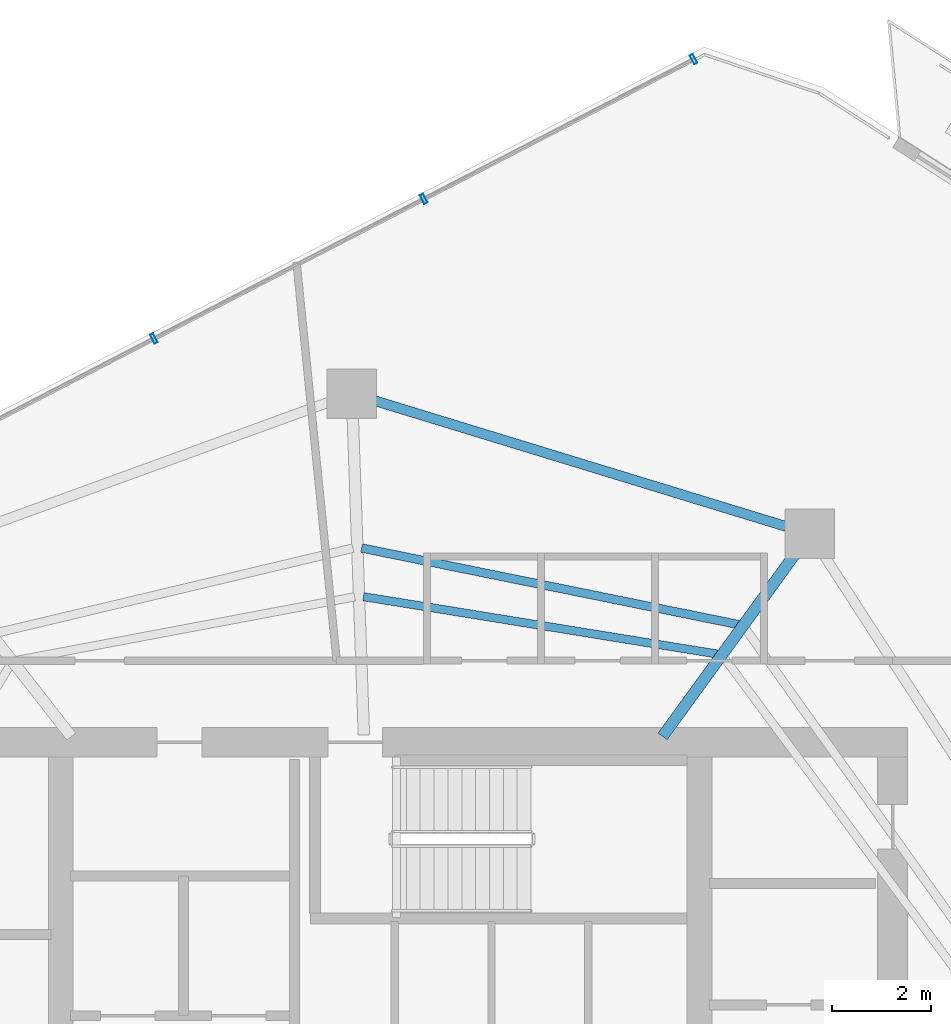
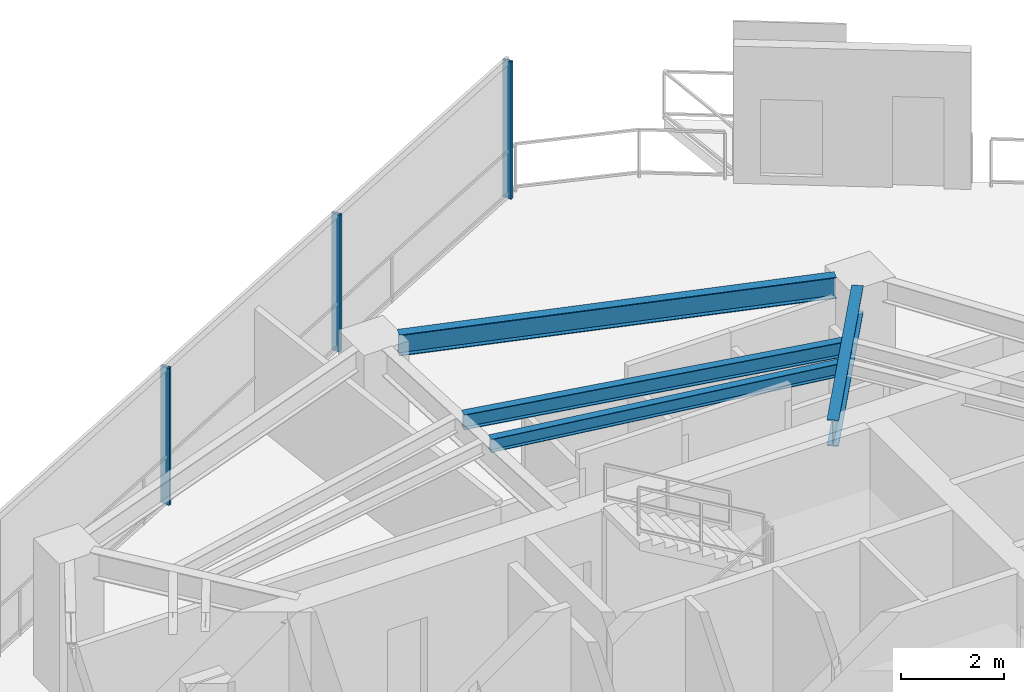
# One storey, part 13 of 20: 4 beams, 3 members, 1 element without a shape of its own.
"""IFC4 building model written with IfcOpenShell, lengths in metres."""

import ifcopenshell
import ifcopenshell.guid

model = None  # the IFC model being written
_history = None  # IfcOwnerHistory: only IFC2X3 demands one
_inside = {}  # id of a spatial element -> (the spatial element, [elements in it])
_under = {}  # id of a project, library or spatial element -> (it, [spatial elements below it])
_declared = {}  # id of a project -> (the project, [libraries it declares])
_typed = {}  # id of a type object -> (the type object, [elements of that type])
_made_of = {}  # id of a material, layer set ... -> (it, [elements and type objects made of it])


def new_model(schema):
    """Start an empty IFC model of exactly this schema.

    Asked for "IFC4X3", IfcOpenShell would pick the latest addendum, in which some entities
    have other attributes; the version numbers below select the first issue.
    IFC2X3 requires an IfcOwnerHistory on every rooted entity: one is made here for all.
    """
    global model, _history
    if schema == "IFC4X3":
        model = ifcopenshell.file(schema_version=(4, 3, 0, 0))
    else:
        model = ifcopenshell.file(schema=schema)
    _inside.clear()
    _under.clear()
    _declared.clear()
    _typed.clear()
    _made_of.clear()
    _history = None
    if model.schema == "IFC2X3":
        org = make("IfcOrganization", Name="unknown")
        user = make(
            "IfcPersonAndOrganization",
            ThePerson=make("IfcPerson", FamilyName="unknown"),
            TheOrganization=org,
        )
        app = make(
            "IfcApplication",
            ApplicationDeveloper=org,
            Version="unknown",
            ApplicationFullName="unknown",
            ApplicationIdentifier="unknown",
        )
        _history = make(
            "IfcOwnerHistory",
            OwningUser=user,
            OwningApplication=app,
            ChangeAction="ADDED",
            CreationDate=0,
        )
    return model


def make(cls, **values):
    """One entity of the class cls with the attributes given. An attribute that is None is left unset."""
    return model.create_entity(
        cls, **{name: value for name, value in values.items() if value is not None}
    )


def rooted(cls, **values):
    """An entity with a GlobalId (a new one), such as an element, a storey or a relation."""
    return make(cls, GlobalId=ifcopenshell.guid.new(), OwnerHistory=_history, **values)


def si_unit(unit_type, name, prefix=None):
    """IfcSIUnit, for example si_unit("LENGTHUNIT", "METRE", prefix="MILLI")."""
    return make("IfcSIUnit", UnitType=unit_type, Prefix=prefix, Name=name)


def assignment(units):
    """IfcUnitAssignment: the units of a project."""
    return None if units is None else make("IfcUnitAssignment", Units=units)


def point(xyz):
    """IfcCartesianPoint."""
    return None if xyz is None else make("IfcCartesianPoint", Coordinates=xyz)


def direction(xyz):
    """IfcDirection."""
    return None if xyz is None else make("IfcDirection", DirectionRatios=xyz)


def frame(location, z_axis=None, x_axis=None):
    """IfcAxis2Placement3D, a coordinate frame: its origin and axes. An axis left out is left unset."""
    return make(
        "IfcAxis2Placement3D",
        Location=point(location),
        Axis=direction(z_axis),
        RefDirection=direction(x_axis),
    )


def frame_2d(location, x_axis=None):
    """IfcAxis2Placement2D, a coordinate frame in the plane: its origin and x axis."""
    return make(
        "IfcAxis2Placement2D", Location=point(location), RefDirection=direction(x_axis)
    )


def origin():
    """The frame at (0, 0, 0) with its axes left unset."""
    return frame((0.0, 0.0, 0.0))


def origin_2d():
    """The frame at (0, 0) in the plane with its x axis left unset."""
    return frame_2d((0.0, 0.0))


def place(relative_to, where):
    """IfcLocalPlacement: puts the frame where relative to a parent placement (None: the world)."""
    return make(
        "IfcLocalPlacement", PlacementRelTo=relative_to, RelativePlacement=where
    )


def context(
    kind, dimensions, precision=None, world=None, true_north=None, identifier=None
):
    """IfcGeometricRepresentationContext, for example the 3D "Model" context."""
    return make(
        "IfcGeometricRepresentationContext",
        ContextIdentifier=identifier,
        ContextType=kind,
        CoordinateSpaceDimension=dimensions,
        Precision=precision,
        WorldCoordinateSystem=world,
        TrueNorth=true_north,
    )


def subcontext(parent, identifier, kind, view, scale=None):
    """IfcGeometricRepresentationSubContext, for example "Body" below "Model"."""
    return make(
        "IfcGeometricRepresentationSubContext",
        ContextIdentifier=identifier,
        ContextType=kind,
        ParentContext=parent,
        TargetScale=scale,
        TargetView=view,
    )


def project(units=None, contexts=None):
    """IfcProject with its units and contexts."""
    return rooted(
        "IfcProject",
        Name="project",
        RepresentationContexts=contexts,
        UnitsInContext=assignment(units),
    )


def spatial(cls, under=None, at=None, **own):
    """A site, building, storey or space (cls), placed at a placement, below another one or the project."""
    s = rooted(cls, ObjectPlacement=at, **own)
    if under is not None:
        _under.setdefault(under.id(), (under, []))[1].append(s)
    return s


def profile(cls, at=None, kind="AREA", **sizes):
    """A parametric profile (cls). Its sizes go by their IFC names, for example OverallWidth=200.0."""
    return make(cls, ProfileType=kind, Position=at, **sizes)


def hollow_rectangle(**sizes):
    """IfcRectangleHollowProfileDef."""
    return profile("IfcRectangleHollowProfileDef", **sizes)


def i_section(**sizes):
    """IfcIShapeProfileDef."""
    return profile("IfcIShapeProfileDef", **sizes)


def extrude(swept, where, along, depth):
    """IfcExtrudedAreaSolid: the profile swept, set in the frame where, extruded along a direction by depth."""
    return make(
        "IfcExtrudedAreaSolid",
        SweptArea=swept,
        Position=where,
        ExtrudedDirection=direction(along),
        Depth=depth,
    )


def shape(context_of_items, identifier, shape_type, items):
    """IfcShapeRepresentation: the items that make up one representation, for example the "Body"."""
    return make(
        "IfcShapeRepresentation",
        ContextOfItems=context_of_items,
        RepresentationIdentifier=identifier,
        RepresentationType=shape_type,
        Items=items,
    )


def material(Name=None, Category=None):
    """IfcMaterial."""
    return make("IfcMaterial", Name=Name, Category=Category)


def layer(
    of_material, thickness, ventilated=None, Name=None, Category=None, Priority=None
):
    """IfcMaterialLayer: one layer of a wall or slab, of a material (None: an air gap)."""
    return make(
        "IfcMaterialLayer",
        Material=of_material,
        LayerThickness=thickness,
        IsVentilated=ventilated,
        Name=Name,
        Category=Category,
        Priority=Priority,
    )


def layer_set(layers, Name=None):
    """IfcMaterialLayerSet."""
    return make("IfcMaterialLayerSet", MaterialLayers=layers, LayerSetName=Name)


def material_profile(
    of_material, cross_section, Name=None, Category=None, Priority=None
):
    """IfcMaterialProfile: a cross section and its material."""
    return make(
        "IfcMaterialProfile",
        Name=Name,
        Material=of_material,
        Profile=cross_section,
        Priority=Priority,
        Category=Category,
    )


def profile_set(profiles, Name=None, composite=None):
    """IfcMaterialProfileSet."""
    return make(
        "IfcMaterialProfileSet",
        Name=Name,
        MaterialProfiles=profiles,
        CompositeProfile=composite,
    )


def made_of(thing, what):
    """Note that an element or type object is made of a material, layer set ...; save() writes the relation."""
    if what is not None:
        _made_of.setdefault(what.id(), (what, []))[1].append(thing)
    return thing


def type_object(cls, material=None, **own):
    """A type object (cls), such as IfcWallType, which elements share."""
    return made_of(rooted(cls, **own), material)


def element(
    cls,
    number,
    at=None,
    inside=None,
    cuts=None,
    type_object=None,
    material=None,
    context=None,
    identifier="Body",
    shape_type=None,
    held_by="IfcProductDefinitionShape",
    body=None,
    shapes=None,
    **own,
):
    """One element of the class cls, such as IfcWall. Its Tag is "e" and its number.

    at: its placement. inside: the storey or other place that contains it. cuts: it is an
    opening in that element (IfcRelVoidsElement). A single representation is given by context,
    identifier, shape_type and body (its items); several are given by shapes. held_by: the class
    of the entity that holds the representations. save() writes the other relations.
    """
    e = rooted(cls, Tag="e%d" % number, ObjectPlacement=at, **own)
    if body is not None:
        shapes = [shape(context, identifier, shape_type, body)]
    if shapes is not None:
        e.Representation = make(held_by, Representations=shapes)
    if inside is not None:
        _inside.setdefault(inside.id(), (inside, []))[1].append(e)
    if cuts is not None:
        rooted(
            "IfcRelVoidsElement", RelatingBuildingElement=cuts, RelatedOpeningElement=e
        )
    if type_object is not None:
        _typed.setdefault(type_object.id(), (type_object, []))[1].append(e)
    return made_of(e, material)


def aggregate(whole, parts):
    """IfcRelAggregates: a whole, such as a stair, and the parts it consists of."""
    return rooted("IfcRelAggregates", RelatingObject=whole, RelatedObjects=parts)


def save(model, path):
    """Write the relations noted so far, then the file.

    IfcRelAggregates (storeys below a building ...), IfcRelContainedInSpatialStructure (elements
    in a storey), IfcRelDefinesByType, IfcRelAssociatesMaterial and IfcRelDeclares: one each for
    every whole, place, type object, material and project.
    """
    for whole, parts in _under.values():
        aggregate(whole, parts)
    for where, things in _inside.values():
        rooted(
            "IfcRelContainedInSpatialStructure",
            RelatedElements=things,
            RelatingStructure=where,
        )
    for kind, things in _typed.values():
        rooted("IfcRelDefinesByType", RelatedObjects=things, RelatingType=kind)
    for what, things in _made_of.values():
        rooted("IfcRelAssociatesMaterial", RelatedObjects=things, RelatingMaterial=what)
    for by, libraries in _declared.values():
        rooted("IfcRelDeclares", RelatingContext=by, RelatedDefinitions=libraries)
    model.write(path)


model = new_model("IFC4")

# Units and contexts
model_context = context("Model", 3, precision=1e-05, world=origin(), true_north=direction((0.0, 1.0)))
body_context = subcontext(model_context, "Body", "Model", "MODEL_VIEW")
ifc_project = project(units=[si_unit("LENGTHUNIT", "METRE"), si_unit("AREAUNIT", "SQUARE_METRE"), si_unit("VOLUMEUNIT", "CUBIC_METRE"), si_unit("PLANEANGLEUNIT", "RADIAN"), si_unit("MASSUNIT", "GRAM", prefix="KILO")], contexts=[model_context])

# Site, building, storey
site_placement = place(None, origin())
site = spatial("IfcSite", under=ifc_project, at=site_placement, CompositionType="ELEMENT")
building_placement = place(site_placement, origin())
building = spatial("IfcBuilding", under=site, at=building_placement, Name="Qarnah Convention Tower", CompositionType="ELEMENT")
storey_placement = place(building_placement, frame((0.0, 0.0, 168.89990234375)))
storey = spatial("IfcBuildingStorey", under=building, at=storey_placement, Name="L45", CompositionType="ELEMENT", Elevation=168.89990234375)

# Beams
ifc_material_1 = material(Name="Structural steel S355JR", Category="steel")
ifc_material_profile_1 = material_profile(ifc_material_1, i_section(OverallWidth=0.166015625, OverallDepth=0.31201171875, WebThickness=0.007080078125, FlangeThickness=0.010986328125, at=origin_2d()), Name="W310X45")
ifc_profile_set_1 = profile_set([ifc_material_profile_1], Name="Structural steel S355JR")
beam_type_1 = type_object("IfcBeamType", Name="BM-JST-W310", PredefinedType="JOIST", material=ifc_profile_set_1)
beam_1_placement = place(storey_placement, frame((44.06396484375, 35.98388671875, 3.083984375), z_axis=(-0.987111234702, 0.160035653294, 0.0), x_axis=(-0.160035653294, -0.987111234702, 0.0)))
element("IfcBeam", 1, at=beam_1_placement, inside=storey, type_object=beam_type_1, Name="L45 joist BM-L45-IJST-02", PredefinedType="JOIST", context=body_context, shape_type="SweptSolid", body=[
    extrude(i_section(OverallWidth=0.166015625, OverallDepth=0.31201171875, WebThickness=0.007080078125, FlangeThickness=0.010986328125, at=origin_2d()), origin(), (0.0, 0.0, 1.0), 7.2431640625),
])
ifc_material_profile_2 = material_profile(ifc_material_1, i_section(OverallWidth=0.172119140625, OverallDepth=0.35595703125, WebThickness=0.007080078125, FlangeThickness=0.011962890625, at=origin_2d()), Name="W360X51")
ifc_profile_set_2 = profile_set([ifc_material_profile_2], Name="Structural steel S355JR")
beam_type_2 = type_object("IfcBeamType", Name="BM-JST-W360", PredefinedType="JOIST", material=ifc_profile_set_2)
beam_2_placement = place(storey_placement, frame((44.493896484375, 36.577880859375, 3.06201171875), z_axis=(-0.979984159566, 0.199075480659, 0.0), x_axis=(-0.199075480659, -0.979984159566, 0.0)))
element("IfcBeam", 2, at=beam_2_placement, inside=storey, type_object=beam_type_2, Name="L45 joist BM-L45-SJST-02", PredefinedType="JOIST", context=body_context, shape_type="SweptSolid", body=[
    extrude(i_section(OverallWidth=0.172119140625, OverallDepth=0.35595703125, WebThickness=0.007080078125, FlangeThickness=0.011962890625, at=origin_2d()), origin(), (0.0, 0.0, 1.0), 7.771484375),
])
ifc_material_profile_3 = material_profile(ifc_material_1, i_section(OverallWidth=0.22998046875, OverallDepth=0.617919921875, WebThickness=0.012939453125, FlangeThickness=0.02197265625, at=origin_2d()), Name="W610X140")
ifc_profile_set_3 = profile_set([ifc_material_profile_3], Name="Structural steel S355JR")
beam_type_3 = type_object("IfcBeamType", Name="BM-RAD-W610A", PredefinedType="BEAM", material=ifc_profile_set_3)
beam_3_placement = place(storey_placement, frame((42.955078125, 34.321044921875, 2.93115234375), z_axis=(0.58781027487, 0.808998813817, 0.0), x_axis=(-0.808998813817, 0.58781027487, 0.0)))
element("IfcBeam", 3, at=beam_3_placement, inside=storey, type_object=beam_type_3, Name="L45 beam BM-L45-RAD-02", PredefinedType="BEAM", context=body_context, shape_type="SweptSolid", body=[
    extrude(i_section(OverallWidth=0.22998046875, OverallDepth=0.617919921875, WebThickness=0.012939453125, FlangeThickness=0.02197265625, at=origin_2d()), origin(), (0.0, 0.0, 1.0), 4.57958984375),
])
ifc_material_profile_4 = material_profile(ifc_material_1, i_section(OverallWidth=0.199951171875, OverallDepth=0.5, WebThickness=0.010009765625, FlangeThickness=0.01611328125, at=origin_2d()), Name="IPE500")
ifc_profile_set_4 = profile_set([ifc_material_profile_4], Name="Structural steel S355JR")
beam_type_4 = type_object("IfcBeamType", Name="BM-SPN-IPE500", PredefinedType="SPANDREL", material=ifc_profile_set_4)
beam_4_placement = place(storey_placement, frame((45.4599609375, 38.556884765625, 2.989990234375), z_axis=(-0.956283054976, 0.292442676035, 0.0), x_axis=(-0.292442676035, -0.956283054976, 0.0)))
element("IfcBeam", 4, at=beam_4_placement, inside=storey, type_object=beam_type_4, Name="L45 spandrel BM-L45-SPN-02", PredefinedType="SPANDREL", context=body_context, shape_type="SweptSolid", body=[
    extrude(i_section(OverallWidth=0.199951171875, OverallDepth=0.5, WebThickness=0.010009765625, FlangeThickness=0.01611328125, at=origin_2d()), origin(), (0.0, 0.0, 1.0), 8.68896484375),
])

# Curtain wall, members
ifc_material_2 = material(Name="Tempered Low-E dark glass", Category="glass")
ifc_layer = layer(ifc_material_2, 0.172119140625)
ifc_layer_set = layer_set([ifc_layer], Name="Tempered Low-E dark glass")
curtain_wall_type = type_object("IfcCurtainWallType", Name="CWS-03", PredefinedType="NOTDEFINED", material=ifc_layer_set)
curtain_wall_placement = place(storey_placement, origin())
curtain_wall = element("IfcCurtainWall", 5, at=curtain_wall_placement, inside=storey, type_object=curtain_wall_type, Name="L45 unitised curtain wall CW-L45-F2", PredefinedType="NOTDEFINED")
ifc_material_3 = material(Name="Black anodised aluminium", Category="aluminium")
ifc_material_profile_5 = material_profile(ifc_material_3, hollow_rectangle(XDim=0.070068359375, YDim=0.199951171875, WallThickness=0.0048828125, at=origin_2d()), Name="MUL-70X200")
ifc_profile_set_5 = profile_set([ifc_material_profile_5], Name="Black anodised aluminium")
member_type = type_object("IfcMemberType", Name="MUL-T3", PredefinedType="MULLION", material=ifc_profile_set_5)
member_1_placement = place(storey_placement, frame((32.6826171875, 42.3564453125, 0.0), z_axis=(0.0, 0.0, 1.0), x_axis=(0.888134603935, 0.459583425826, 0.0)))
member_1 = element("IfcMember", 6, at=member_1_placement, type_object=member_type, Name="CW-L45-F2 mullion 4", PredefinedType="MULLION", context=body_context, shape_type="SweptSolid", body=[
    extrude(hollow_rectangle(XDim=0.070068359375, YDim=0.199951171875, WallThickness=0.0048828125, at=origin_2d()), origin(), (0.0, 0.0, 1.0), 3.239990234375),
])
member_2_placement = place(storey_placement, frame((38.1318359375, 45.17626953125, 0.0), z_axis=(0.0, 0.0, 1.0), x_axis=(0.888134603935, 0.459583425826, 0.0)))
member_2 = element("IfcMember", 7, at=member_2_placement, type_object=member_type, Name="CW-L45-F2 mullion 5", PredefinedType="MULLION", context=body_context, shape_type="SweptSolid", body=[
    extrude(hollow_rectangle(XDim=0.070068359375, YDim=0.199951171875, WallThickness=0.0048828125, at=origin_2d()), origin(), (0.0, 0.0, 1.0), 3.239990234375),
])
member_3_placement = place(storey_placement, frame((43.5810546875, 47.99609375, 0.0), z_axis=(0.0, 0.0, 1.0), x_axis=(0.888134603935, 0.459583425826, 0.0)))
member_3 = element("IfcMember", 8, at=member_3_placement, type_object=member_type, Name="CW-L45-F2 mullion 6", PredefinedType="MULLION", context=body_context, shape_type="SweptSolid", body=[
    extrude(hollow_rectangle(XDim=0.070068359375, YDim=0.199951171875, WallThickness=0.0048828125, at=origin_2d()), origin(), (0.0, 0.0, 1.0), 3.239990234375),
])
aggregate(curtain_wall, [member_1, member_2, member_3])

save(model, "model.ifc")
